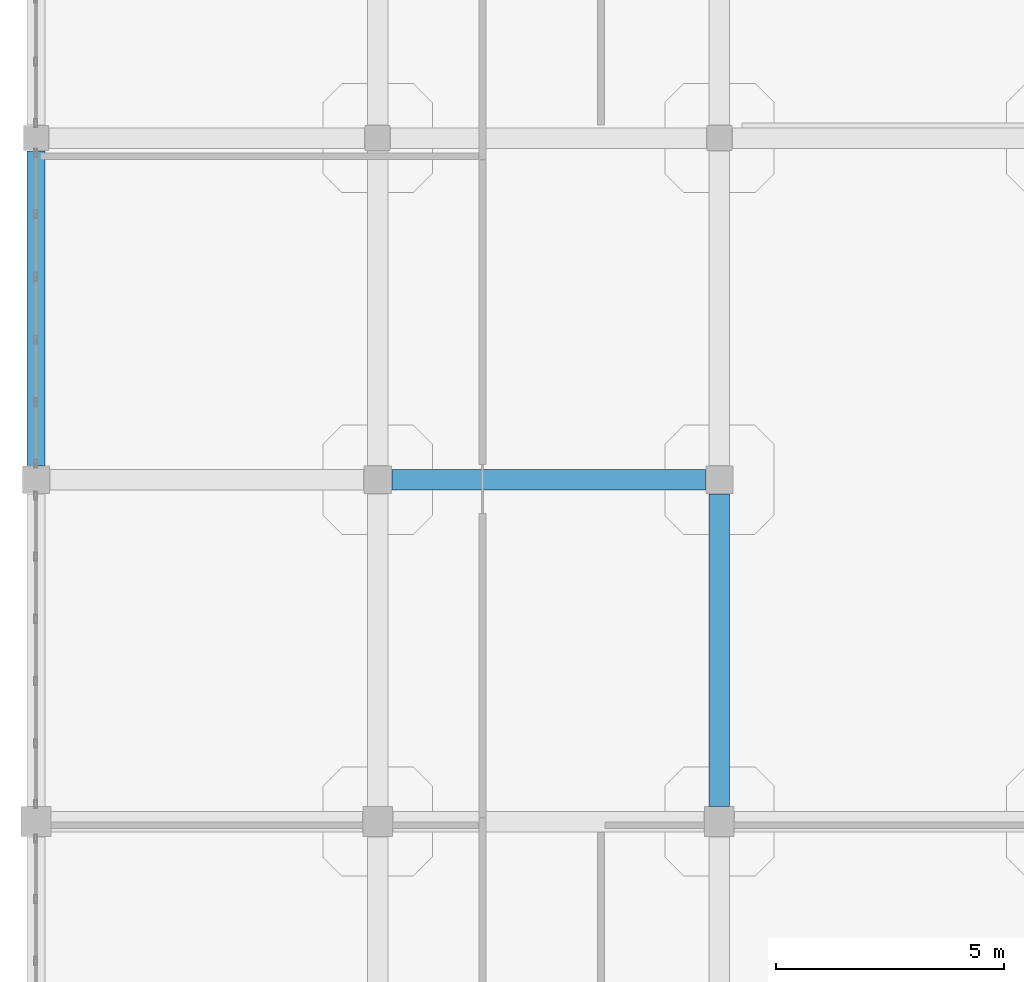
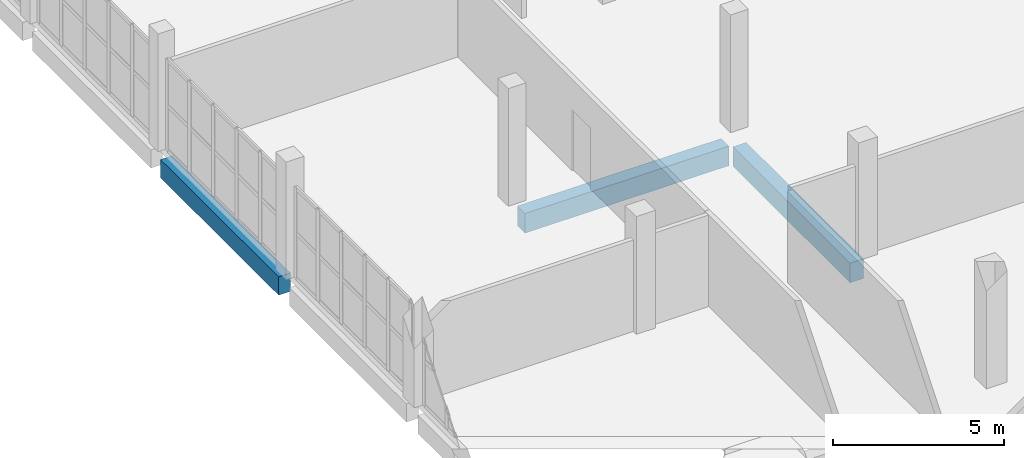
# One storey, part 38 of 164: 3 beams.
"""IFC4 building model written with IfcOpenShell, lengths in metres."""

from ifc_helpers import new_model, si_unit, direction, frame, origin, origin_2d, place, context, subcontext, project, spatial, rectangle, extrude, material, material_profile, profile_set, type_object, element, save


model = new_model("IFC4")

# Units and contexts
model_context = context("Model", 3, precision=1e-05, world=origin(), true_north=direction((0.0, 1.0)))
body_context = subcontext(model_context, "Body", "Model", "MODEL_VIEW")
ifc_project = project(units=[si_unit("LENGTHUNIT", "METRE"), si_unit("AREAUNIT", "SQUARE_METRE"), si_unit("VOLUMEUNIT", "CUBIC_METRE"), si_unit("PLANEANGLEUNIT", "RADIAN"), si_unit("MASSUNIT", "GRAM", prefix="KILO")], contexts=[model_context])

# Site, building, storey
site_placement = place(None, origin())
site = spatial("IfcSite", under=ifc_project, at=site_placement, CompositionType="ELEMENT")
building_placement = place(site_placement, origin())
building = spatial("IfcBuilding", under=site, at=building_placement, Name="Mawjan Specialist Oncology Clinic", CompositionType="ELEMENT")
storey_placement = place(building_placement, frame((0.0, 0.0, 5.0)))
storey = spatial("IfcBuildingStorey", under=building, at=storey_placement, Name="L01", CompositionType="ELEMENT", Elevation=5.0)

# Beams
ifc_material_1 = material(Name="Concrete C40/50", Category="concrete")
ifc_material_profile_1 = material_profile(ifc_material_1, rectangle(XDim=0.449951171875, YDim=0.699951171875, at=origin_2d()), Name="RC BM 450x700", Category="concrete")
ifc_profile_set_1 = profile_set([ifc_material_profile_1], Name="Concrete C40/50")
beam_type_1 = type_object("IfcBeamType", Name="BM-450x700", PredefinedType="BEAM", material=ifc_profile_set_1)
beam_1_placement = place(storey_placement, frame((7.81005859375, 53.300048828125, -0.8701171875), z_axis=(1.0, 0.0, 0.0), x_axis=(0.0, 1.0, 0.0)))
element("IfcBeam", 1, at=beam_1_placement, inside=storey, type_object=beam_type_1, Name="L01 Collector Beam BM-L01-0275", PredefinedType="BEAM", context=body_context, shape_type="SweptSolid", body=[
    extrude(rectangle(XDim=0.449951171875, YDim=0.699951171875, at=origin_2d()), origin(), (0.0, 0.0, 1.0), 6.8798828125),
])
beam_2_placement = place(storey_placement, frame((15.0, 46.135009765625, -0.8701171875), z_axis=(0.0, 1.0, 0.0), x_axis=(-1.0, 0.0, 0.0)))
element("IfcBeam", 2, at=beam_2_placement, inside=storey, type_object=beam_type_1, Name="L01 Collector Beam BM-L01-0442", PredefinedType="BEAM", context=body_context, shape_type="SweptSolid", body=[
    extrude(rectangle(XDim=0.449951171875, YDim=0.699951171875, at=origin_2d()), origin(), (0.0, 0.0, 1.0), 6.85498046875),
])
ifc_material_2 = material(Name="Concrete C45/55", Category="concrete")
ifc_material_profile_2 = material_profile(ifc_material_2, rectangle(XDim=0.39990234375, YDim=0.64990234375, at=origin_2d()), Name="RC BM 400x650", Category="concrete")
ifc_profile_set_2 = profile_set([ifc_material_profile_2], Name="Concrete C45/55")
beam_type_2 = type_object("IfcBeamType", Name="SP-400x650", PredefinedType="SPANDREL", material=ifc_profile_set_2)
beam_3_placement = place(storey_placement, frame((0.0, 53.610107421875, -0.625), z_axis=(0.0, 1.0, 0.0), x_axis=(-1.0, 0.0, 0.0)))
element("IfcBeam", 3, at=beam_3_placement, inside=storey, type_object=beam_type_2, Name="L01 Spandrel Beam BM-L01-0425", PredefinedType="SPANDREL", context=body_context, shape_type="SweptSolid", body=[
    extrude(rectangle(XDim=0.39990234375, YDim=0.64990234375, at=origin_2d()), origin(), (0.0, 0.0, 1.0), 6.90478515625),
])

save(model, "model.ifc")
